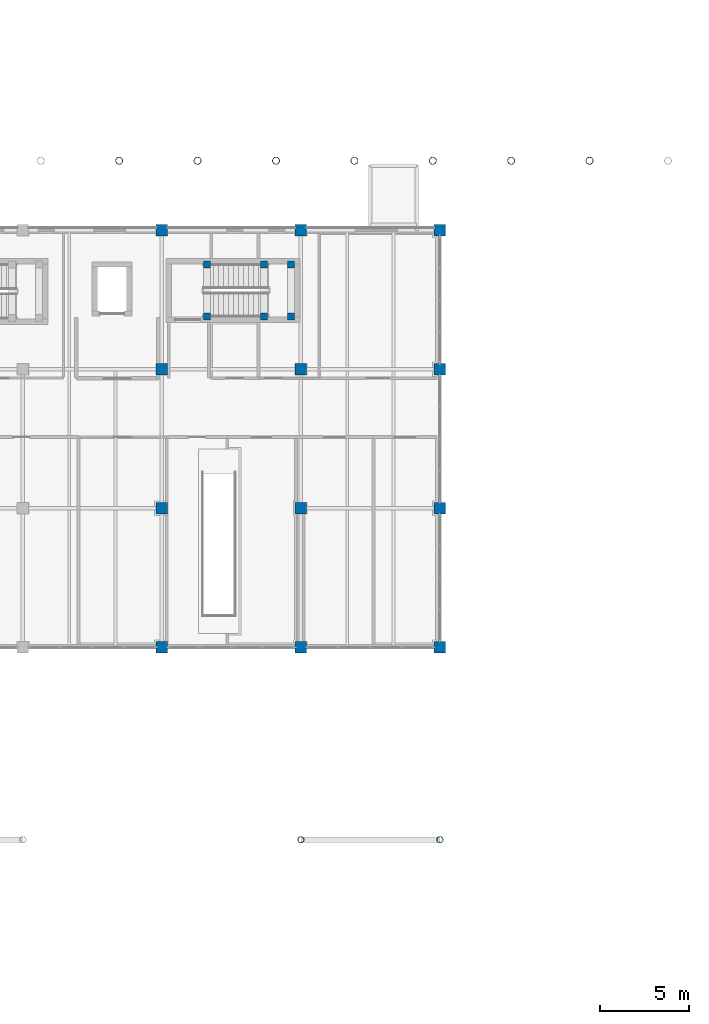
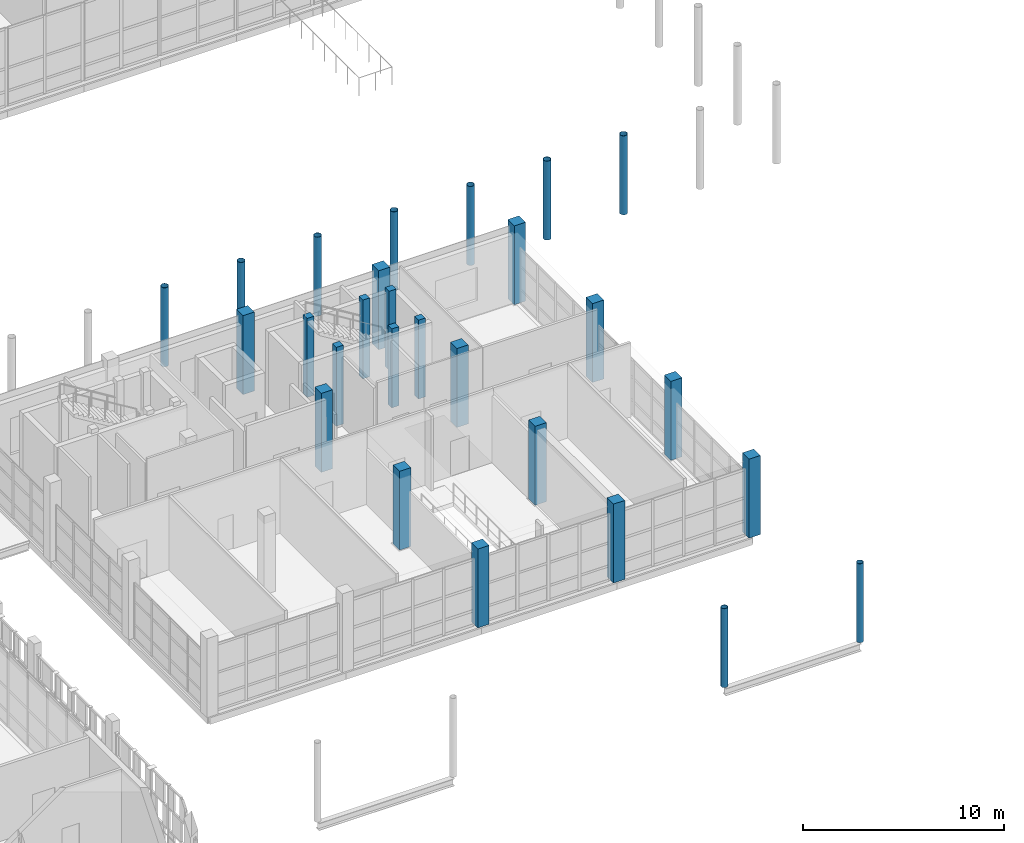
# One storey, part 7 of 138: 27 columns.
"""IFC4 building model written with IfcOpenShell, lengths in metres."""

import ifcopenshell
import ifcopenshell.guid

model = None  # the IFC model being written
_history = None  # IfcOwnerHistory: only IFC2X3 demands one
_inside = {}  # id of a spatial element -> (the spatial element, [elements in it])
_under = {}  # id of a project, library or spatial element -> (it, [spatial elements below it])
_declared = {}  # id of a project -> (the project, [libraries it declares])
_typed = {}  # id of a type object -> (the type object, [elements of that type])
_made_of = {}  # id of a material, layer set ... -> (it, [elements and type objects made of it])


def new_model(schema):
    """Start an empty IFC model of exactly this schema.

    Asked for "IFC4X3", IfcOpenShell would pick the latest addendum, in which some entities
    have other attributes; the version numbers below select the first issue.
    IFC2X3 requires an IfcOwnerHistory on every rooted entity: one is made here for all.
    """
    global model, _history
    if schema == "IFC4X3":
        model = ifcopenshell.file(schema_version=(4, 3, 0, 0))
    else:
        model = ifcopenshell.file(schema=schema)
    _inside.clear()
    _under.clear()
    _declared.clear()
    _typed.clear()
    _made_of.clear()
    _history = None
    if model.schema == "IFC2X3":
        org = make("IfcOrganization", Name="unknown")
        user = make(
            "IfcPersonAndOrganization",
            ThePerson=make("IfcPerson", FamilyName="unknown"),
            TheOrganization=org,
        )
        app = make(
            "IfcApplication",
            ApplicationDeveloper=org,
            Version="unknown",
            ApplicationFullName="unknown",
            ApplicationIdentifier="unknown",
        )
        _history = make(
            "IfcOwnerHistory",
            OwningUser=user,
            OwningApplication=app,
            ChangeAction="ADDED",
            CreationDate=0,
        )
    return model


def make(cls, **values):
    """One entity of the class cls with the attributes given. An attribute that is None is left unset."""
    return model.create_entity(
        cls, **{name: value for name, value in values.items() if value is not None}
    )


def rooted(cls, **values):
    """An entity with a GlobalId (a new one), such as an element, a storey or a relation."""
    return make(cls, GlobalId=ifcopenshell.guid.new(), OwnerHistory=_history, **values)


def si_unit(unit_type, name, prefix=None):
    """IfcSIUnit, for example si_unit("LENGTHUNIT", "METRE", prefix="MILLI")."""
    return make("IfcSIUnit", UnitType=unit_type, Prefix=prefix, Name=name)


def assignment(units):
    """IfcUnitAssignment: the units of a project."""
    return None if units is None else make("IfcUnitAssignment", Units=units)


def point(xyz):
    """IfcCartesianPoint."""
    return None if xyz is None else make("IfcCartesianPoint", Coordinates=xyz)


def direction(xyz):
    """IfcDirection."""
    return None if xyz is None else make("IfcDirection", DirectionRatios=xyz)


def frame(location, z_axis=None, x_axis=None):
    """IfcAxis2Placement3D, a coordinate frame: its origin and axes. An axis left out is left unset."""
    return make(
        "IfcAxis2Placement3D",
        Location=point(location),
        Axis=direction(z_axis),
        RefDirection=direction(x_axis),
    )


def frame_2d(location, x_axis=None):
    """IfcAxis2Placement2D, a coordinate frame in the plane: its origin and x axis."""
    return make(
        "IfcAxis2Placement2D", Location=point(location), RefDirection=direction(x_axis)
    )


def origin():
    """The frame at (0, 0, 0) with its axes left unset."""
    return frame((0.0, 0.0, 0.0))


def origin_2d():
    """The frame at (0, 0) in the plane with its x axis left unset."""
    return frame_2d((0.0, 0.0))


def place(relative_to, where):
    """IfcLocalPlacement: puts the frame where relative to a parent placement (None: the world)."""
    return make(
        "IfcLocalPlacement", PlacementRelTo=relative_to, RelativePlacement=where
    )


def context(
    kind, dimensions, precision=None, world=None, true_north=None, identifier=None
):
    """IfcGeometricRepresentationContext, for example the 3D "Model" context."""
    return make(
        "IfcGeometricRepresentationContext",
        ContextIdentifier=identifier,
        ContextType=kind,
        CoordinateSpaceDimension=dimensions,
        Precision=precision,
        WorldCoordinateSystem=world,
        TrueNorth=true_north,
    )


def subcontext(parent, identifier, kind, view, scale=None):
    """IfcGeometricRepresentationSubContext, for example "Body" below "Model"."""
    return make(
        "IfcGeometricRepresentationSubContext",
        ContextIdentifier=identifier,
        ContextType=kind,
        ParentContext=parent,
        TargetScale=scale,
        TargetView=view,
    )


def project(units=None, contexts=None):
    """IfcProject with its units and contexts."""
    return rooted(
        "IfcProject",
        Name="project",
        RepresentationContexts=contexts,
        UnitsInContext=assignment(units),
    )


def spatial(cls, under=None, at=None, **own):
    """A site, building, storey or space (cls), placed at a placement, below another one or the project."""
    s = rooted(cls, ObjectPlacement=at, **own)
    if under is not None:
        _under.setdefault(under.id(), (under, []))[1].append(s)
    return s


def profile(cls, at=None, kind="AREA", **sizes):
    """A parametric profile (cls). Its sizes go by their IFC names, for example OverallWidth=200.0."""
    return make(cls, ProfileType=kind, Position=at, **sizes)


def rectangle(**sizes):
    """IfcRectangleProfileDef."""
    return profile("IfcRectangleProfileDef", **sizes)


def hollow_circle(**sizes):
    """IfcCircleHollowProfileDef."""
    return profile("IfcCircleHollowProfileDef", **sizes)


def extrude(swept, where, along, depth):
    """IfcExtrudedAreaSolid: the profile swept, set in the frame where, extruded along a direction by depth."""
    return make(
        "IfcExtrudedAreaSolid",
        SweptArea=swept,
        Position=where,
        ExtrudedDirection=direction(along),
        Depth=depth,
    )


def shape(context_of_items, identifier, shape_type, items):
    """IfcShapeRepresentation: the items that make up one representation, for example the "Body"."""
    return make(
        "IfcShapeRepresentation",
        ContextOfItems=context_of_items,
        RepresentationIdentifier=identifier,
        RepresentationType=shape_type,
        Items=items,
    )


def material(Name=None, Category=None):
    """IfcMaterial."""
    return make("IfcMaterial", Name=Name, Category=Category)


def material_profile(
    of_material, cross_section, Name=None, Category=None, Priority=None
):
    """IfcMaterialProfile: a cross section and its material."""
    return make(
        "IfcMaterialProfile",
        Name=Name,
        Material=of_material,
        Profile=cross_section,
        Priority=Priority,
        Category=Category,
    )


def profile_set(profiles, Name=None, composite=None):
    """IfcMaterialProfileSet."""
    return make(
        "IfcMaterialProfileSet",
        Name=Name,
        MaterialProfiles=profiles,
        CompositeProfile=composite,
    )


def made_of(thing, what):
    """Note that an element or type object is made of a material, layer set ...; save() writes the relation."""
    if what is not None:
        _made_of.setdefault(what.id(), (what, []))[1].append(thing)
    return thing


def type_object(cls, material=None, **own):
    """A type object (cls), such as IfcWallType, which elements share."""
    return made_of(rooted(cls, **own), material)


def element(
    cls,
    number,
    at=None,
    inside=None,
    cuts=None,
    type_object=None,
    material=None,
    context=None,
    identifier="Body",
    shape_type=None,
    held_by="IfcProductDefinitionShape",
    body=None,
    shapes=None,
    **own,
):
    """One element of the class cls, such as IfcWall. Its Tag is "e" and its number.

    at: its placement. inside: the storey or other place that contains it. cuts: it is an
    opening in that element (IfcRelVoidsElement). A single representation is given by context,
    identifier, shape_type and body (its items); several are given by shapes. held_by: the class
    of the entity that holds the representations. save() writes the other relations.
    """
    e = rooted(cls, Tag="e%d" % number, ObjectPlacement=at, **own)
    if body is not None:
        shapes = [shape(context, identifier, shape_type, body)]
    if shapes is not None:
        e.Representation = make(held_by, Representations=shapes)
    if inside is not None:
        _inside.setdefault(inside.id(), (inside, []))[1].append(e)
    if cuts is not None:
        rooted(
            "IfcRelVoidsElement", RelatingBuildingElement=cuts, RelatedOpeningElement=e
        )
    if type_object is not None:
        _typed.setdefault(type_object.id(), (type_object, []))[1].append(e)
    return made_of(e, material)


def aggregate(whole, parts):
    """IfcRelAggregates: a whole, such as a stair, and the parts it consists of."""
    return rooted("IfcRelAggregates", RelatingObject=whole, RelatedObjects=parts)


def save(model, path):
    """Write the relations noted so far, then the file.

    IfcRelAggregates (storeys below a building ...), IfcRelContainedInSpatialStructure (elements
    in a storey), IfcRelDefinesByType, IfcRelAssociatesMaterial and IfcRelDeclares: one each for
    every whole, place, type object, material and project.
    """
    for whole, parts in _under.values():
        aggregate(whole, parts)
    for where, things in _inside.values():
        rooted(
            "IfcRelContainedInSpatialStructure",
            RelatedElements=things,
            RelatingStructure=where,
        )
    for kind, things in _typed.values():
        rooted("IfcRelDefinesByType", RelatedObjects=things, RelatingType=kind)
    for what, things in _made_of.values():
        rooted("IfcRelAssociatesMaterial", RelatedObjects=things, RelatingMaterial=what)
    for by, libraries in _declared.values():
        rooted("IfcRelDeclares", RelatingContext=by, RelatedDefinitions=libraries)
    model.write(path)


model = new_model("IFC4")

# Units and contexts
model_context = context("Model", 3, precision=1e-05, world=origin(), true_north=direction((0.0, 1.0)))
body_context = subcontext(model_context, "Body", "Model", "MODEL_VIEW")
ifc_project = project(units=[si_unit("LENGTHUNIT", "METRE"), si_unit("AREAUNIT", "SQUARE_METRE"), si_unit("VOLUMEUNIT", "CUBIC_METRE"), si_unit("PLANEANGLEUNIT", "RADIAN"), si_unit("MASSUNIT", "GRAM", prefix="KILO")], contexts=[model_context])

# Site, building, storey
site_placement = place(None, origin())
site = spatial("IfcSite", under=ifc_project, at=site_placement, CompositionType="ELEMENT")
building_placement = place(site_placement, origin())
building = spatial("IfcBuilding", under=site, at=building_placement, Name="Celorna Specialist Clinic", CompositionType="ELEMENT")
storey_placement = place(building_placement, frame((0.0, 0.0, 4.800048828125)))
storey = spatial("IfcBuildingStorey", under=building, at=storey_placement, Name="L01", CompositionType="ELEMENT", Elevation=4.800048828125)

# Columns
ifc_material_1 = material(Name="Concrete C40/50", Category="concrete")
ifc_material_profile_1 = material_profile(ifc_material_1, rectangle(XDim=0.64990234375, YDim=0.64990234375, at=origin_2d()), Name="RC 650x650")
ifc_profile_set_1 = profile_set([ifc_material_profile_1], Name="Concrete C40/50")
column_type_1 = type_object("IfcColumnType", Name="CT-03", PredefinedType="COLUMN", material=ifc_profile_set_1)
for number, where, z_axis, x_axis, name in (
    (1, (70.199951171875, 19.5, 0.0), (0.0, 0.0, 1.0), (1.0, 0.0, 0.0), "Column CT-03 L01 X10/YE"),
    (2, (70.199951171875, 27.300048828125, 0.0), (0.0, 0.0, 1.0), (1.0, 0.0, 0.0), "Column CT-03 L01 X10/YF"),
    (3, (70.199951171875, 35.10009765625, 0.0), (0.0, 0.0, 1.0), (1.0, 0.0, 0.0), "Column CT-03 L01 X10/YG"),
    (4, (70.199951171875, 42.89990234375, 0.0), (0.0, 0.0, 1.0), (1.0, 0.0, 0.0), "Column CT-03 L01 X10/YH"),
    (5, (78.0, 19.5, 0.0), (0.0, 0.0, 1.0), (1.0, 0.0, 0.0), "Column CT-03 L01 X11/YE"),
    (6, (78.0, 27.300048828125, 0.0), (0.0, 0.0, 1.0), (1.0, 0.0, 0.0), "Column CT-03 L01 X11/YF"),
    (7, (78.0, 35.10009765625, 0.0), (0.0, 0.0, 1.0), (1.0, 0.0, 0.0), "Column CT-03 L01 X11/YG"),
    (8, (78.0, 42.89990234375, 0.0), (0.0, 0.0, 1.0), (1.0, 0.0, 0.0), "Column CT-03 L01 X11/YH"),
    (9, (85.800048828125, 19.5, 0.0), (0.0, 0.0, 1.0), (1.0, 0.0, 0.0), "Column CT-03 L01 X12/YE"),
    (10, (85.800048828125, 27.300048828125, 0.0), (0.0, 0.0, 1.0), (1.0, 0.0, 0.0), "Column CT-03 L01 X12/YF"),
    (11, (85.800048828125, 35.10009765625, 0.0), (0.0, 0.0, 1.0), (1.0, 0.0, 0.0), "Column CT-03 L01 X12/YG"),
    (12, (85.800048828125, 42.89990234375, 0.0), (0.0, 0.0, 1.0), (1.0, 0.0, 0.0), "Column CT-03 L01 X12/YH"),
):
    element("IfcColumn", number, at=place(storey_placement, frame(where, z_axis=z_axis, x_axis=x_axis)), inside=storey, type_object=column_type_1, Name=name, PredefinedType="COLUMN", context=body_context, shape_type="SweptSolid", body=[
        extrude(rectangle(XDim=0.64990234375, YDim=0.64990234375, at=origin_2d()), origin(), (0.0, 0.0, 1.0), 4.800048828125),
    ])
ifc_material_2 = material(Name="Concrete C35/45", Category="concrete")
ifc_material_profile_2 = material_profile(ifc_material_2, rectangle(XDim=0.39990234375, YDim=0.39990234375, at=origin_2d()), Name="RC 400x400")
ifc_profile_set_2 = profile_set([ifc_material_profile_2], Name="Concrete C35/45")
column_type_2 = type_object("IfcColumnType", Name="CT-08", PredefinedType="COLUMN", material=ifc_profile_set_2)
for number, where, z_axis, x_axis, name in (
    (13, (72.719970703125, 38.070068359375, 0.0), (0.0, 0.0, 1.0), (1.0, 0.0, 0.0), "Stair ST-09 landing column CT-08 L01 X10/YG"),
    (14, (72.719970703125, 40.969970703125, 0.0), (0.0, 0.0, 1.0), (1.0, 0.0, 0.0), "Stair ST-09 landing column CT-08 L01 X10/YH"),
    (15, (75.919921875, 38.070068359375, 0.0), (0.0, 0.0, 1.0), (1.0, 0.0, 0.0), "Stair ST-09 landing column CT-08 L01 X11/YG"),
    (16, (75.919921875, 40.969970703125, 0.0), (0.0, 0.0, 1.0), (1.0, 0.0, 0.0), "Stair ST-09 landing column CT-08 L01 X11/YH"),
    (17, (77.43994140625, 38.070068359375, 0.0), (0.0, 0.0, 1.0), (1.0, 0.0, 0.0), "Stair ST-09 landing column CT-08 L01 X11/YG"),
    (18, (77.43994140625, 40.969970703125, 0.0), (0.0, 0.0, 1.0), (1.0, 0.0, 0.0), "Stair ST-09 landing column CT-08 L01 X11/YH"),
):
    element("IfcColumn", number, at=place(storey_placement, frame(where, z_axis=z_axis, x_axis=x_axis)), inside=storey, type_object=column_type_2, Name=name, PredefinedType="COLUMN", context=body_context, shape_type="SweptSolid", body=[
        extrude(rectangle(XDim=0.39990234375, YDim=0.39990234375, at=origin_2d()), origin(), (0.0, 0.0, 1.0), 4.800048828125),
    ])
ifc_material_3 = material(Name="Steel S355", Category="steel")
ifc_material_profile_3 = material_profile(ifc_material_3, hollow_circle(Radius=0.177734375, WallThickness=0.01611328125, at=origin_2d()), Name="CHS 355.6x16")
ifc_profile_set_3 = profile_set([ifc_material_profile_3], Name="Steel S355")
column_type_3 = type_object("IfcColumnType", Name="CT-11", PredefinedType="COLUMN", material=ifc_profile_set_3)
for number, where, z_axis, x_axis, name in (
    (19, (78.0, 8.699951171875, 0.0), (0.0, 0.0, 1.0), (1.0, 0.0, 0.0), "Slim portico steel column CT-11 L01 X11/YC"),
    (20, (85.800048828125, 8.699951171875, 0.0), (0.0, 0.0, 1.0), (1.0, 0.0, 0.0), "Slim portico steel column CT-11 L01 X12/YC"),
):
    element("IfcColumn", number, at=place(storey_placement, frame(where, z_axis=z_axis, x_axis=x_axis)), inside=storey, type_object=column_type_3, Name=name, PredefinedType="COLUMN", context=body_context, shape_type="SweptSolid", body=[
        extrude(hollow_circle(Radius=0.177734375, WallThickness=0.01611328125, at=origin_2d()), origin(), (0.0, 0.0, 1.0), 4.800048828125),
    ])
ifc_material_profile_4 = material_profile(ifc_material_3, hollow_circle(Radius=0.203125, WallThickness=0.01611328125, at=origin_2d()), Name="CHS 406.4x16")
ifc_profile_set_4 = profile_set([ifc_material_profile_4], Name="Steel S355")
column_type_4 = type_object("IfcColumnType", Name="CT-12", PredefinedType="COLUMN", material=ifc_profile_set_4)
for number, where, z_axis, x_axis, name in (
    (21, (67.800048828125, 46.800048828125, 0.0), (0.0, 0.0, 1.0), (1.0, 0.0, 0.0), "Column CT-12 L01 X10/YJ"),
    (22, (72.199951171875, 46.800048828125, 0.0), (0.0, 0.0, 1.0), (1.0, 0.0, 0.0), "Column CT-12 L01 X10/YJ"),
    (23, (76.60009765625, 46.800048828125, 0.0), (0.0, 0.0, 1.0), (1.0, 0.0, 0.0), "Column CT-12 L01 X11/YJ"),
    (24, (81.0, 46.800048828125, 0.0), (0.0, 0.0, 1.0), (1.0, 0.0, 0.0), "Column CT-12 L01 X11/YJ"),
    (25, (85.39990234375, 46.800048828125, 0.0), (0.0, 0.0, 1.0), (1.0, 0.0, 0.0), "Column CT-12 L01 X12/YJ"),
    (26, (89.800048828125, 46.800048828125, 0.0), (0.0, 0.0, 1.0), (1.0, 0.0, 0.0), "Column CT-12 L01 X13/YJ"),
    (27, (94.199951171875, 46.800048828125, 0.0), (0.0, 0.0, 1.0), (1.0, 0.0, 0.0), "Column CT-12 L01 X13/YJ"),
):
    element("IfcColumn", number, at=place(storey_placement, frame(where, z_axis=z_axis, x_axis=x_axis)), inside=storey, type_object=column_type_4, Name=name, PredefinedType="COLUMN", context=body_context, shape_type="SweptSolid", body=[
        extrude(hollow_circle(Radius=0.203125, WallThickness=0.01611328125, at=origin_2d()), origin(), (0.0, 0.0, 1.0), 4.800048828125),
    ])

save(model, "model.ifc")
